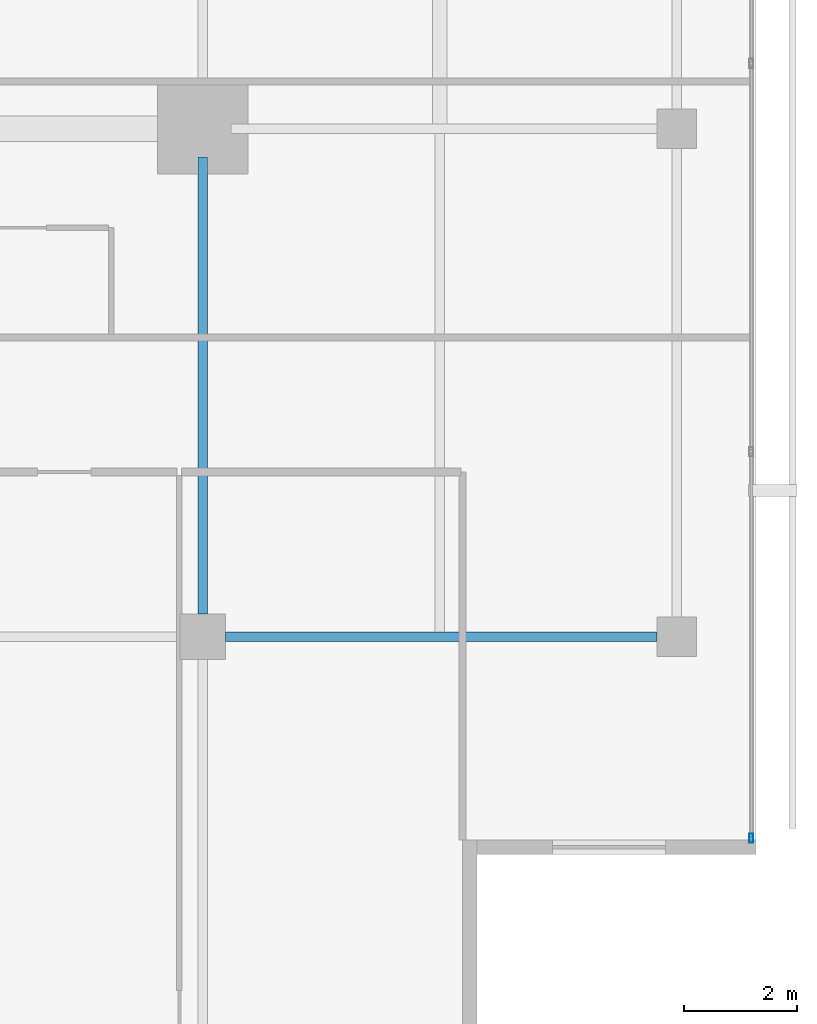
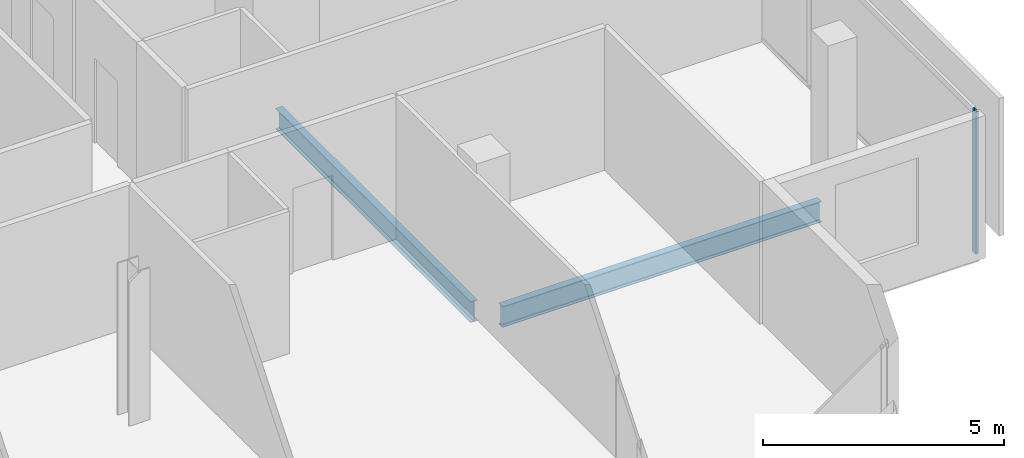
# One storey, part 11 of 25: 2 beams, 1 member, 1 element without a shape of its own.
"""IFC4 building model written with IfcOpenShell, lengths in metres."""

from ifc_helpers import new_model, si_unit, direction, frame, origin, origin_2d, place, context, subcontext, project, spatial, hollow_rectangle, i_section, extrude, material, layer, layer_set, material_profile, profile_set, type_object, element, aggregate, save


model = new_model("IFC4")

# Units and contexts
model_context = context("Model", 3, precision=1e-05, world=origin(), true_north=direction((0.0, 1.0)))
body_context = subcontext(model_context, "Body", "Model", "MODEL_VIEW")
ifc_project = project(units=[si_unit("LENGTHUNIT", "METRE"), si_unit("AREAUNIT", "SQUARE_METRE"), si_unit("VOLUMEUNIT", "CUBIC_METRE"), si_unit("PLANEANGLEUNIT", "RADIAN"), si_unit("MASSUNIT", "GRAM", prefix="KILO")], contexts=[model_context])

# Site, building, storey
site_placement = place(None, origin())
site = spatial("IfcSite", under=ifc_project, at=site_placement, CompositionType="ELEMENT")
building_placement = place(site_placement, origin())
building = spatial("IfcBuilding", under=site, at=building_placement, Name="Maruvema Waterfront Hotel and Observation Tower", CompositionType="ELEMENT")
storey_placement = place(building_placement, frame((0.0, 0.0, 304.85009765625)))
storey = spatial("IfcBuildingStorey", under=building, at=storey_placement, Name="L75", CompositionType="ELEMENT", Elevation=304.85009765625)

# Curtain wall, member
ifc_material_1 = material(Name="Anodised bronze aluminium and solar-control low-E IGU", Category="aluminium")
ifc_layer = layer(ifc_material_1, 0.159912109375, Name="Zone 3 Champagne Inner Thermal Curtain Wall System CW-04")
ifc_layer_set = layer_set([ifc_layer], Name="Anodised bronze aluminium and solar-control low-E IGU")
curtain_wall_type = type_object("IfcCurtainWallType", Name="Zone 3 Champagne Inner Thermal Curtain Wall System CW-04", PredefinedType="USERDEFINED", material=ifc_layer_set)
curtain_wall_placement = place(storey_placement, origin())
curtain_wall = element("IfcCurtainWall", 1, at=curtain_wall_placement, inside=storey, type_object=curtain_wall_type, Name="L75 Curtain Wall CW-L75-E", ObjectType="UNITISED CURTAIN WALL", PredefinedType="USERDEFINED")
ifc_material_2 = material(Name="Anodised architectural bronze aluminium", Category="aluminium")
ifc_material_profile_1 = material_profile(ifc_material_2, hollow_rectangle(XDim=0.06494140625, YDim=0.1650390625, WallThickness=0.00390625, at=origin_2d()), Name="ALU-M65x165")
ifc_profile_set_1 = profile_set([ifc_material_profile_1], Name="Anodised architectural bronze aluminium")
member_type = type_object("IfcMemberType", Name="Curtain Wall Primary Mullion ALU-M65x165", PredefinedType="MULLION", material=ifc_profile_set_1)
member_placement = place(storey_placement, frame((60.1201171875, 14.429931640625, 0.0), z_axis=(0.0, 0.0, 1.0), x_axis=(-1.0, 0.0, 0.0)))
member = element("IfcMember", 2, at=member_placement, type_object=member_type, Name="CW-04 mullion 1", PredefinedType="MULLION", context=body_context, shape_type="SweptSolid", body=[
    extrude(hollow_rectangle(XDim=0.06494140625, YDim=0.1650390625, WallThickness=0.00390625, at=origin_2d()), origin(), (0.0, 0.0, 1.0), 3.60986328125),
])
aggregate(curtain_wall, [member])

# Beams
ifc_material_3 = material(Name="Steel ASTM A572 Grade 50", Category="steel")
ifc_material_profile_2 = material_profile(ifc_material_3, i_section(OverallWidth=0.166015625, OverallDepth=0.529052734375, WebThickness=0.009765625, FlangeThickness=0.013671875, FilletRadius=0.014892578125, at=origin_2d()), Name="W530x74.0")
ifc_profile_set_2 = profile_set([ifc_material_profile_2], Name="Steel ASTM A572 Grade 50")
beam_type = type_object("IfcBeamType", Name="Primary Floor Girder W530x74.0", PredefinedType="BEAM", material=ifc_profile_set_2)
beam_1_placement = place(storey_placement, frame((50.800048828125, 18.0, -0.504638671875), z_axis=(1.0, 0.0, 0.0), x_axis=(0.0, 1.0, 0.0)))
element("IfcBeam", 3, at=beam_1_placement, inside=storey, type_object=beam_type, Name="L75 Floor Girder EW-08", PredefinedType="BEAM", context=body_context, shape_type="SweptSolid", body=[
    extrude(i_section(OverallWidth=0.166015625, OverallDepth=0.529052734375, WebThickness=0.009765625, FlangeThickness=0.013671875, FilletRadius=0.014892578125, at=origin_2d()), origin(), (0.0, 0.0, 1.0), 7.64990234375),
])
beam_2_placement = place(storey_placement, frame((50.39990234375, 18.39990234375, -0.504638671875), z_axis=(0.0, 1.0, 0.0), x_axis=(-1.0, 0.0, 0.0)))
element("IfcBeam", 4, at=beam_2_placement, inside=storey, type_object=beam_type, Name="L75 Floor Girder NS-13", PredefinedType="BEAM", context=body_context, shape_type="SweptSolid", body=[
    extrude(i_section(OverallWidth=0.166015625, OverallDepth=0.529052734375, WebThickness=0.009765625, FlangeThickness=0.013671875, FilletRadius=0.014892578125, at=origin_2d()), origin(), (0.0, 0.0, 1.0), 8.10009765625),
])

save(model, "model.ifc")
